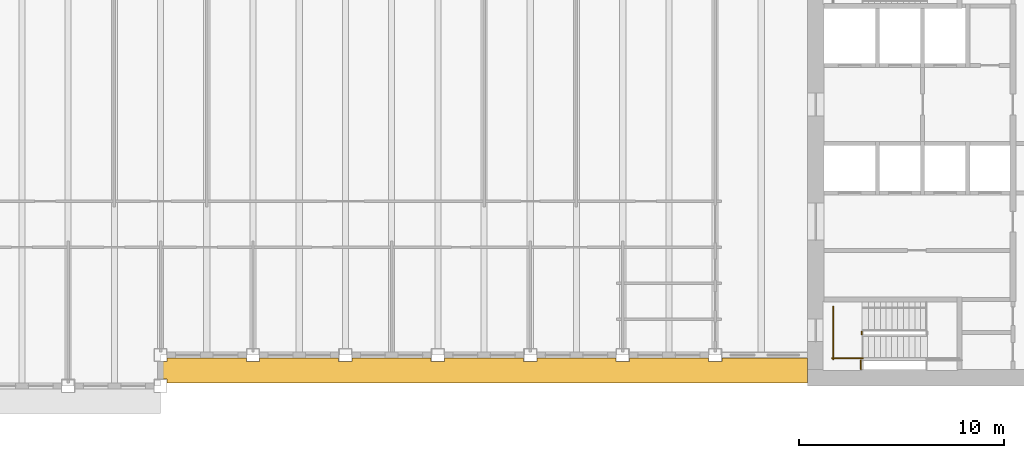
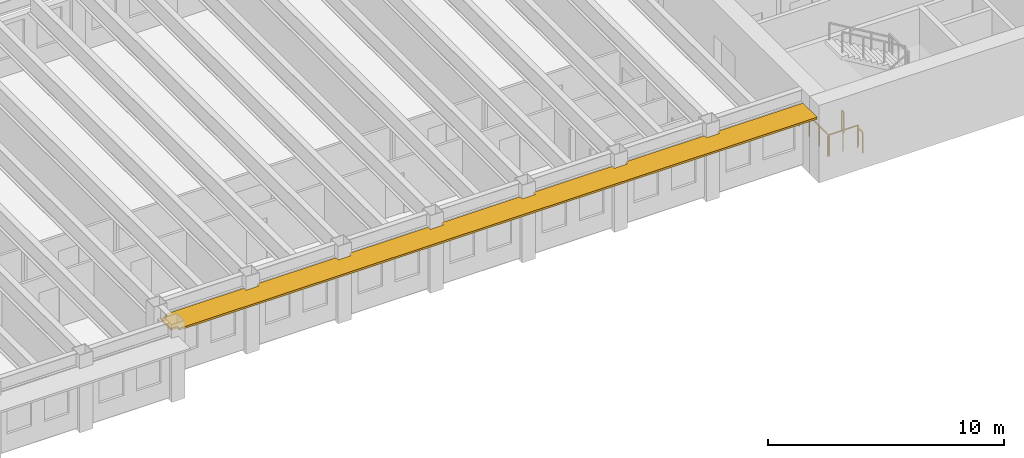
# One storey, part 9 of 12: 4 railings, 1 shading device.
"""IFC4 building model written with IfcOpenShell, lengths in metres."""

from ifc_helpers import new_model, si_unit, direction, frame, origin, origin_2d, place, context, subcontext, project, spatial, polyline, rectangle, outline, extrude, material, layer, layer_set, type_object, element, save


model = new_model("IFC4")

# Units and contexts
model_context = context("Model", 3, precision=1e-05, world=origin(), true_north=direction((0.0, 1.0)))
body_context = subcontext(model_context, "Body", "Model", "MODEL_VIEW")
ifc_project = project(units=[si_unit("LENGTHUNIT", "METRE"), si_unit("AREAUNIT", "SQUARE_METRE"), si_unit("VOLUMEUNIT", "CUBIC_METRE"), si_unit("PLANEANGLEUNIT", "RADIAN"), si_unit("MASSUNIT", "GRAM", prefix="KILO")], contexts=[model_context])

# Site, building, storey
site_placement = place(None, origin())
site = spatial("IfcSite", under=ifc_project, at=site_placement, CompositionType="ELEMENT")
building_placement = place(site_placement, origin())
building = spatial("IfcBuilding", under=site, at=building_placement, Name="Sennacour Bend Tower", CompositionType="ELEMENT")
storey_placement = place(building_placement, frame((0.0, 0.0, 273.0)))
storey = spatial("IfcBuildingStorey", under=building, at=storey_placement, Name="L63", CompositionType="ELEMENT", Elevation=273.0)

# Railings
ifc_material_1 = material(Name="Stainless steel", Category="steel")
railing_type = type_object("IfcRailingType", Name="RL-GUARD-1100", PredefinedType="GUARDRAIL", material=ifc_material_1)
railing_1_placement = place(storey_placement, frame((56.64990234375, 2.5, 0.0)))
element("IfcRailing", 1, at=railing_1_placement, inside=storey, type_object=railing_type, Name="L63 SA1 stair guard 5", PredefinedType="GUARDRAIL", context=body_context, shape_type="SweptSolid", body=[
    extrude(rectangle(XDim=0.048095703125, YDim=0.048095703125, at=origin_2d()), frame((0.0, 0.0, 1.076171875), z_axis=(0.0, 1.0, 0.0), x_axis=(-1.0, 0.0, 0.0)), (0.0, 0.0, 1.0), 0.14990234375),
    extrude(rectangle(XDim=0.0419921875, YDim=0.0419921875, at=origin_2d()), origin(), (0.0, 0.0, 1.0), 1.052001953125),
    extrude(rectangle(XDim=0.0419921875, YDim=0.0419921875, at=origin_2d()), frame((0.0, 0.14990234375, 0.0)), (0.0, 0.0, 1.0), 1.052001953125),
])
railing_2_placement = place(storey_placement, frame((55.199951171875, 1.35009765625, 0.0)))
element("IfcRailing", 2, at=railing_2_placement, inside=storey, type_object=railing_type, Name="L63 SA1 stair guard 6", PredefinedType="GUARDRAIL", context=body_context, shape_type="SweptSolid", body=[
    extrude(rectangle(XDim=0.048095703125, YDim=0.048095703125, at=origin_2d()), frame((0.0, 0.0, 1.076171875), z_axis=(1.0, 0.0, 0.0), x_axis=(0.0, 1.0, 0.0)), (0.0, 0.0, 1.0), 1.5),
    extrude(rectangle(XDim=0.0419921875, YDim=0.0419921875, at=origin_2d()), origin(), (0.0, 0.0, 1.0), 1.052001953125),
    extrude(rectangle(XDim=0.0419921875, YDim=0.0419921875, at=origin_2d()), frame((0.75, 0.0, 0.0)), (0.0, 0.0, 1.0), 1.052001953125),
    extrude(rectangle(XDim=0.0419921875, YDim=0.0419921875, at=origin_2d()), frame((1.5, 0.0, 0.0)), (0.0, 0.0, 1.0), 1.052001953125),
])
railing_3_placement = place(storey_placement, frame((55.25, 1.300048828125, 0.0)))
element("IfcRailing", 3, at=railing_3_placement, inside=storey, type_object=railing_type, Name="L63 SA1 stair guard 7", PredefinedType="GUARDRAIL", context=body_context, shape_type="SweptSolid", body=[
    extrude(rectangle(XDim=0.048095703125, YDim=0.048095703125, at=origin_2d()), frame((0.0, 0.0, 1.076171875), z_axis=(0.0, 1.0, 0.0), x_axis=(-1.0, 0.0, 0.0)), (0.0, 0.0, 1.0), 2.550048828125),
    extrude(rectangle(XDim=0.0419921875, YDim=0.0419921875, at=origin_2d()), origin(), (0.0, 0.0, 1.0), 1.052001953125),
    extrude(rectangle(XDim=0.0419921875, YDim=0.0419921875, at=origin_2d()), frame((0.0, 0.85009765625, 0.0)), (0.0, 0.0, 1.0), 1.052001953125),
    extrude(rectangle(XDim=0.0419921875, YDim=0.0419921875, at=origin_2d()), frame((0.0, 1.699951171875, 0.0)), (0.0, 0.0, 1.0), 1.052001953125),
    extrude(rectangle(XDim=0.0419921875, YDim=0.0419921875, at=origin_2d()), frame((0.0, 2.550048828125, 0.0)), (0.0, 0.0, 1.0), 1.052001953125),
])
railing_4_placement = place(storey_placement, frame((56.60009765625, 1.25, 0.0)))
element("IfcRailing", 4, at=railing_4_placement, inside=storey, type_object=railing_type, Name="L63 SA1 landing edge guard 150", PredefinedType="GUARDRAIL", context=body_context, shape_type="SweptSolid", body=[
    extrude(rectangle(XDim=0.048095703125, YDim=0.048095703125, at=origin_2d()), frame((0.0, 0.0, 1.076171875), z_axis=(0.0, -1.0, 0.0), x_axis=(1.0, 0.0, 0.0)), (0.0, 0.0, 1.0), 0.449951171875),
    extrude(rectangle(XDim=0.0419921875, YDim=0.0419921875, at=origin_2d()), origin(), (0.0, 0.0, 1.0), 1.052001953125),
    extrude(rectangle(XDim=0.0419921875, YDim=0.0419921875, at=origin_2d()), frame((0.0, -0.449951171875, 0.0)), (0.0, 0.0, 1.0), 1.052001953125),
])

# Shading device
ifc_material_2 = material(Name="Bronze anodised aluminium", Category="aluminium")
ifc_layer = layer(ifc_material_2, 0.10009765625, Name="Bronze anodised aluminium", Category="aluminium")
ifc_layer_set = layer_set([ifc_layer], Name="Bronze anodised aluminium")
shading_device_type = type_object("IfcShadingDeviceType", Name="SUNSHADE BAND STRAIGHT", PredefinedType="USERDEFINED", material=ifc_layer_set)
shading_device_placement = place(storey_placement, frame((0.0, 0.0, 3.06201171875)))
element("IfcShadingDevice", 5, at=shading_device_placement, inside=storey, type_object=shading_device_type, Name="Sunshade band L63 A outer face", ObjectType="SUNSHADE", PredefinedType="USERDEFINED", context=body_context, shape_type="SweptSolid", body=[
    extrude(outline(polyline([(26.675048828125, 1.35009765625), (26.675048828125, 1.175048828125), (27.324951171875, 1.175048828125), (27.324951171875, 1.35009765625), (31.175048828125, 1.35009765625), (31.175048828125, 1.175048828125), (31.824951171875, 1.175048828125), (31.824951171875, 1.35009765625), (35.675048828125, 1.35009765625), (35.675048828125, 1.175048828125), (36.324951171875, 1.175048828125), (36.324951171875, 1.35009765625), (40.175048828125, 1.35009765625), (40.175048828125, 1.175048828125), (40.824951171875, 1.175048828125), (40.824951171875, 1.35009765625), (44.675048828125, 1.35009765625), (44.675048828125, 1.175048828125), (45.324951171875, 1.175048828125), (45.324951171875, 1.35009765625), (49.175048828125, 1.35009765625), (49.175048828125, 1.175048828125), (49.824951171875, 1.175048828125), (49.824951171875, 1.35009765625), (54.0, 1.35009765625), (54.0, 0.14990234375), (22.824951171875, 0.14990234375), (22.824951171875, 0.324951171875), (22.5, 0.324951171875), (22.5, 1.175048828125), (22.824951171875, 1.175048828125), (22.824951171875, 1.35009765625), (26.675048828125, 1.35009765625)])), origin(), (0.0, 0.0, 1.0), 0.10009765625),
])

save(model, "model.ifc")
